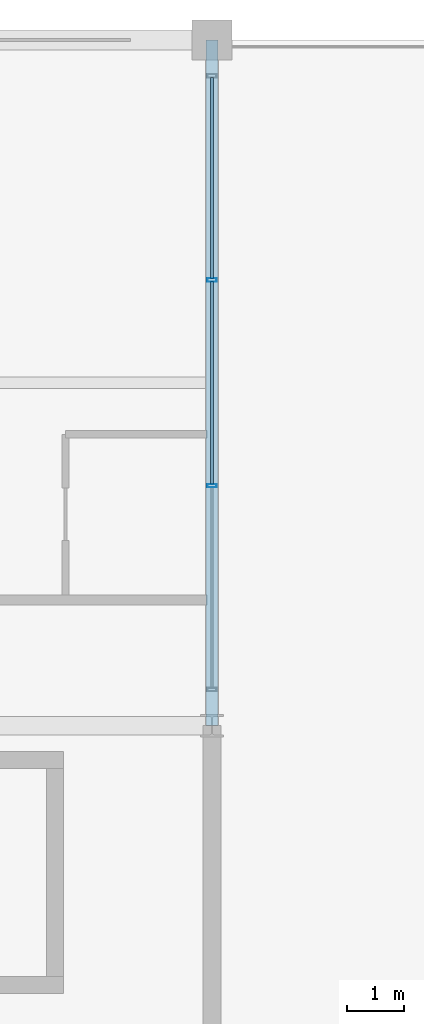
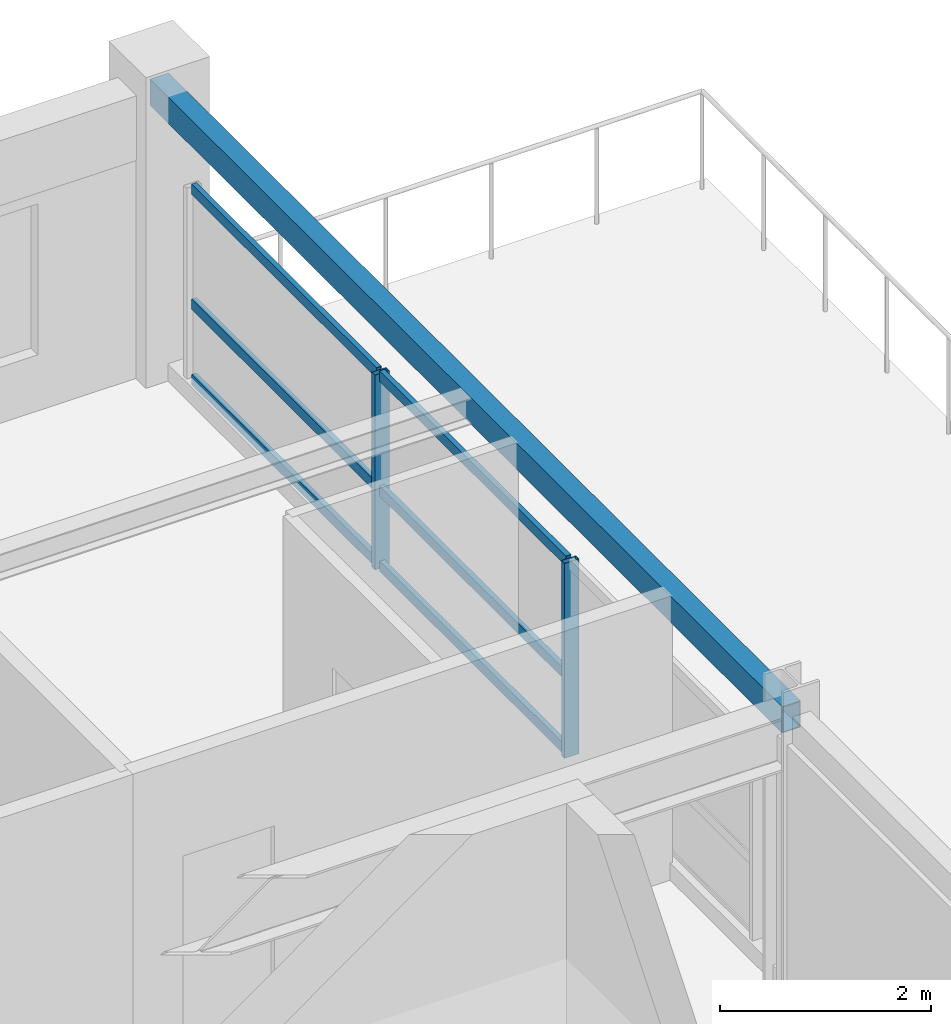
# One storey, part 15 of 24: 8 members, 1 beam, 1 element without a shape of its own.
"""IFC4 building model written with IfcOpenShell, lengths in metres."""

from ifc_helpers import new_model, si_unit, direction, frame, origin, origin_2d, place, context, subcontext, project, spatial, hollow_rectangle, extrude, material, material_profile, profile_set, type_object, element, aggregate, save


model = new_model("IFC4")

# Units and contexts
model_context = context("Model", 3, precision=1e-05, world=origin(), true_north=direction((0.0, 1.0)))
body_context = subcontext(model_context, "Body", "Model", "MODEL_VIEW")
ifc_project = project(units=[si_unit("LENGTHUNIT", "METRE"), si_unit("AREAUNIT", "SQUARE_METRE"), si_unit("VOLUMEUNIT", "CUBIC_METRE"), si_unit("PLANEANGLEUNIT", "RADIAN"), si_unit("MASSUNIT", "GRAM", prefix="KILO")], contexts=[model_context])

# Site, building, storey
site_placement = place(None, origin())
site = spatial("IfcSite", under=ifc_project, at=site_placement, CompositionType="ELEMENT")
building_placement = place(site_placement, origin())
building = spatial("IfcBuilding", under=site, at=building_placement, Name="Kaldorvane Square Convention Centre", CompositionType="ELEMENT")
storey_placement = place(building_placement, frame((0.0, 0.0, 60.0)))
storey = spatial("IfcBuildingStorey", under=building, at=storey_placement, Name="L14", CompositionType="ELEMENT", Elevation=60.0)

# Beam
ifc_material_1 = material(Name="Steel ASTM A500 Gr. C", Category="steel")
ifc_material_profile_1 = material_profile(ifc_material_1, hollow_rectangle(XDim=0.2032012939453125, YDim=0.3047943115234375, WallThickness=0.0088958740234375, at=origin_2d()), Name="HSS12X8X3/8")
ifc_profile_set_1 = profile_set([ifc_material_profile_1], Name="Steel ASTM A500 Gr. C")
beam_type = type_object("IfcBeamType", Name="BM-SP-HSS12", PredefinedType="SPANDREL", material=ifc_profile_set_1)
beam_placement = place(storey_placement, frame((78.0, 105.0, 3.13360595703125), z_axis=(0.0, 1.0, 0.0), x_axis=(-1.0, 0.0, 0.0)))
element("IfcBeam", 1, at=beam_placement, inside=storey, type_object=beam_type, Name="End Spandrel (L14)", PredefinedType="SPANDREL", context=body_context, shape_type="SweptSolid", body=[
    extrude(hollow_rectangle(XDim=0.2032012939453125, YDim=0.3047943115234375, WallThickness=0.0088958740234375, at=origin_2d()), origin(), (0.0, 0.0, 1.0), 12.0),
])

# Curtain wall, members
ifc_material_2 = material(Name="Anodized Aluminum and Low-E Insulated Glazing", Category="aluminium")
curtain_wall_type = type_object("IfcCurtainWallType", Name="CW-UNI-HTL-A", PredefinedType="USERDEFINED", material=ifc_material_2)
curtain_wall_placement = place(storey_placement, origin())
curtain_wall = element("IfcCurtainWall", 2, at=curtain_wall_placement, inside=storey, type_object=curtain_wall_type, Name="Curtain Wall CW-10 (L14)", ObjectType="UNITISED GLAZING", PredefinedType="USERDEFINED")
ifc_material_profile_2 = material_profile(ifc_material_2, hollow_rectangle(XDim=0.05999755859375, YDim=0.160003662109375, WallThickness=0.003204345703125, at=origin_2d()), Name="CWM-160X60")
ifc_profile_set_2 = profile_set([ifc_material_profile_2], Name="Anodized Aluminum and Low-E Insulated Glazing")
member_type_1 = type_object("IfcMemberType", Name="CW-MUL-160", PredefinedType="MULLION", material=ifc_profile_set_2)
member_1_placement = place(storey_placement, frame((78.0, 109.19999694824219, 0.149993896484375), z_axis=(0.0, 0.0, 1.0), x_axis=(0.0, 1.0, 0.0)))
member_1 = element("IfcMember", 3, at=member_1_placement, type_object=member_type_1, Name="CW-10 mullion 2", PredefinedType="MULLION", context=body_context, shape_type="SweptSolid", body=[
    extrude(hollow_rectangle(XDim=0.05999755859375, YDim=0.160003662109375, WallThickness=0.003204345703125, at=origin_2d()), origin(), (0.0, 0.0, 1.0), 2.260009765625),
])
member_2_placement = place(storey_placement, frame((78.0, 112.80000305175781, 0.149993896484375), z_axis=(0.0, 0.0, 1.0), x_axis=(0.0, 1.0, 0.0)))
member_2 = element("IfcMember", 4, at=member_2_placement, type_object=member_type_1, Name="CW-10 mullion 3", PredefinedType="MULLION", context=body_context, shape_type="SweptSolid", body=[
    extrude(hollow_rectangle(XDim=0.05999755859375, YDim=0.160003662109375, WallThickness=0.003204345703125, at=origin_2d()), origin(), (0.0, 0.0, 1.0), 2.260009765625),
])
ifc_material_profile_3 = material_profile(ifc_material_2, hollow_rectangle(XDim=0.05499267578125, YDim=0.1199951171875, WallThickness=0.0030059814453125, at=origin_2d()), Name="CWT-120X55")
ifc_profile_set_3 = profile_set([ifc_material_profile_3], Name="Anodized Aluminum and Low-E Insulated Glazing")
member_type_2 = type_object("IfcMemberType", Name="CW-TRN-120", PredefinedType="USERDEFINED", material=ifc_profile_set_3)
member_3_placement = place(storey_placement, frame((78.0, 109.22999572753906, 0.1775054931640625), z_axis=(0.0, 1.0, 0.0), x_axis=(-1.0, 0.0, 0.0)))
member_3 = element("IfcMember", 5, at=member_3_placement, type_object=member_type_2, Name="CW-10 transom 2.1", ObjectType="TRANSOM", PredefinedType="USERDEFINED", context=body_context, shape_type="SweptSolid", body=[
    extrude(hollow_rectangle(XDim=0.05499267578125, YDim=0.1199951171875, WallThickness=0.0030059814453125, at=origin_2d()), origin(), (0.0, 0.0, 1.0), 3.540008544921875),
])
member_4_placement = place(storey_placement, frame((78.0, 109.22999572753906, 1.0500030517578125), z_axis=(0.0, 1.0, 0.0), x_axis=(-1.0, 0.0, 0.0)))
member_4 = element("IfcMember", 6, at=member_4_placement, type_object=member_type_2, Name="CW-10 transom 2.2", ObjectType="TRANSOM", PredefinedType="USERDEFINED", context=body_context, shape_type="SweptSolid", body=[
    extrude(hollow_rectangle(XDim=0.05499267578125, YDim=0.1199951171875, WallThickness=0.0030059814453125, at=origin_2d()), origin(), (0.0, 0.0, 1.0), 3.540008544921875),
])
member_5_placement = place(storey_placement, frame((78.0, 109.22999572753906, 2.38250732421875), z_axis=(0.0, 1.0, 0.0), x_axis=(-1.0, 0.0, 0.0)))
member_5 = element("IfcMember", 7, at=member_5_placement, type_object=member_type_2, Name="CW-10 transom 2.3", ObjectType="TRANSOM", PredefinedType="USERDEFINED", context=body_context, shape_type="SweptSolid", body=[
    extrude(hollow_rectangle(XDim=0.05499267578125, YDim=0.1199951171875, WallThickness=0.0030059814453125, at=origin_2d()), origin(), (0.0, 0.0, 1.0), 3.540008544921875),
])
member_6_placement = place(storey_placement, frame((78.0, 112.83000183105469, 0.1775054931640625), z_axis=(0.0, 1.0, 0.0), x_axis=(-1.0, 0.0, 0.0)))
member_6 = element("IfcMember", 8, at=member_6_placement, type_object=member_type_2, Name="CW-10 transom 3.1", ObjectType="TRANSOM", PredefinedType="USERDEFINED", context=body_context, shape_type="SweptSolid", body=[
    extrude(hollow_rectangle(XDim=0.05499267578125, YDim=0.1199951171875, WallThickness=0.0030059814453125, at=origin_2d()), origin(), (0.0, 0.0, 1.0), 3.5099945068359375),
])
member_7_placement = place(storey_placement, frame((78.0, 112.83000183105469, 1.0500030517578125), z_axis=(0.0, 1.0, 0.0), x_axis=(-1.0, 0.0, 0.0)))
member_7 = element("IfcMember", 9, at=member_7_placement, type_object=member_type_2, Name="CW-10 transom 3.2", ObjectType="TRANSOM", PredefinedType="USERDEFINED", context=body_context, shape_type="SweptSolid", body=[
    extrude(hollow_rectangle(XDim=0.05499267578125, YDim=0.1199951171875, WallThickness=0.0030059814453125, at=origin_2d()), origin(), (0.0, 0.0, 1.0), 3.5099945068359375),
])
member_8_placement = place(storey_placement, frame((78.0, 112.83000183105469, 2.38250732421875), z_axis=(0.0, 1.0, 0.0), x_axis=(-1.0, 0.0, 0.0)))
member_8 = element("IfcMember", 10, at=member_8_placement, type_object=member_type_2, Name="CW-10 transom 3.3", ObjectType="TRANSOM", PredefinedType="USERDEFINED", context=body_context, shape_type="SweptSolid", body=[
    extrude(hollow_rectangle(XDim=0.05499267578125, YDim=0.1199951171875, WallThickness=0.0030059814453125, at=origin_2d()), origin(), (0.0, 0.0, 1.0), 3.5099945068359375),
])
aggregate(curtain_wall, [member_1, member_2, member_3, member_4, member_5, member_6, member_7, member_8])

save(model, "model.ifc")
